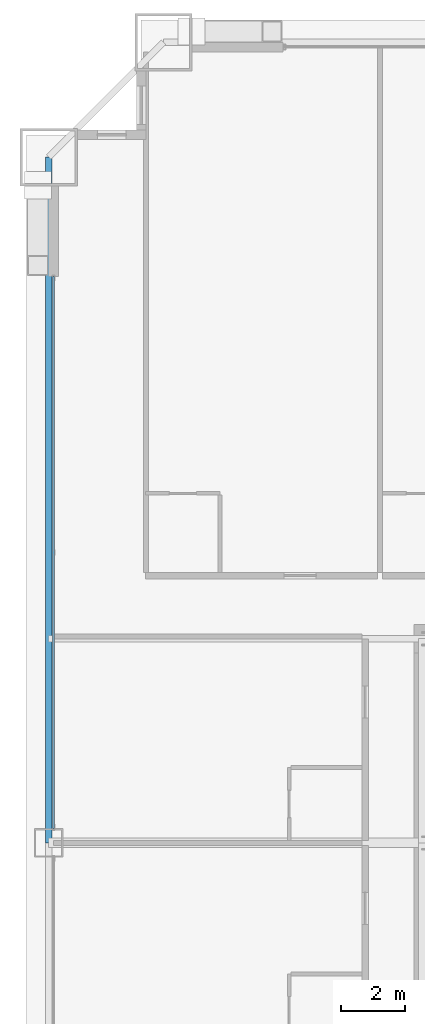
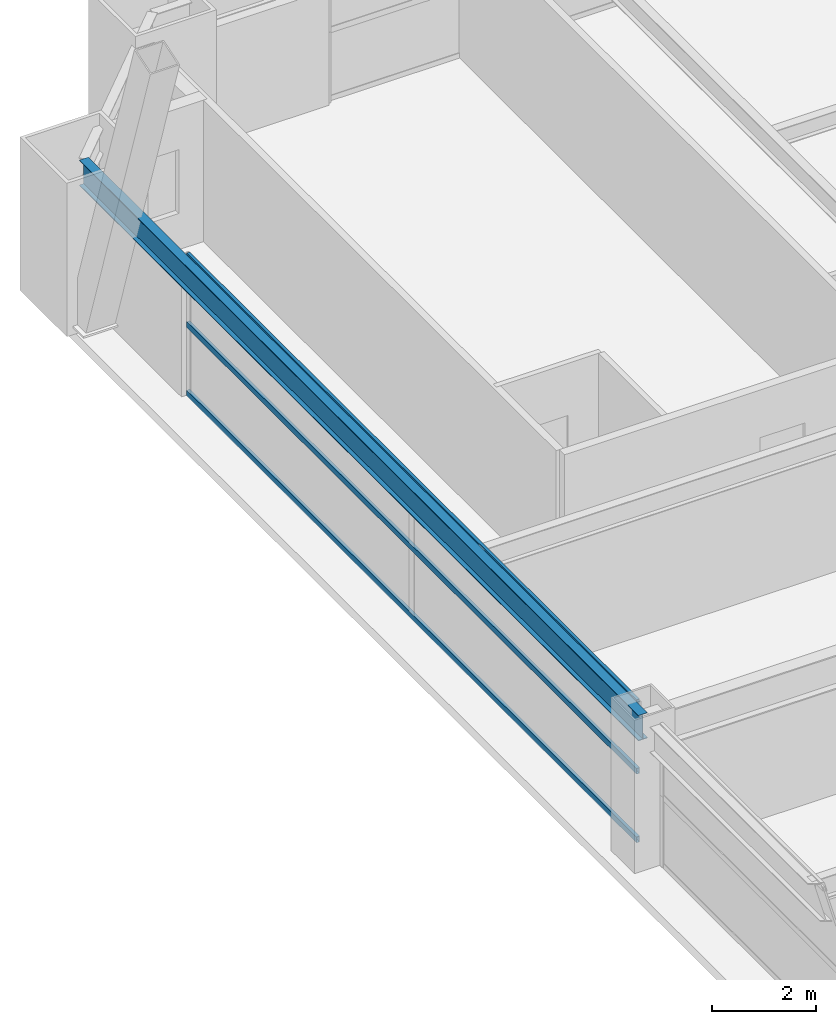
# One storey, part 23 of 43: 3 members, 1 beam, 1 element without a shape of its own.
"""IFC4 building model written with IfcOpenShell, lengths in metres."""

from ifc_helpers import new_model, si_unit, direction, frame, origin, origin_2d, place, context, subcontext, project, spatial, hollow_rectangle, i_section, extrude, source, transform, mapped, material, layer, layer_set, material_profile, profile_set, type_object, element, aggregate, save


model = new_model("IFC4")

# Units and contexts
model_context = context("Model", 3, precision=1e-05, world=origin(), true_north=direction((0.0, 1.0)))
body_context = subcontext(model_context, "Body", "Model", "MODEL_VIEW")
ifc_project = project(units=[si_unit("LENGTHUNIT", "METRE"), si_unit("AREAUNIT", "SQUARE_METRE"), si_unit("VOLUMEUNIT", "CUBIC_METRE"), si_unit("PLANEANGLEUNIT", "RADIAN"), si_unit("MASSUNIT", "GRAM", prefix="KILO"), si_unit("THERMODYNAMICTEMPERATUREUNIT", "KELVIN"), si_unit("POWERUNIT", "WATT")], contexts=[model_context])

# Site, building, storey
site_placement = place(None, origin())
site = spatial("IfcSite", under=ifc_project, at=site_placement, CompositionType="ELEMENT")
building_placement = place(site_placement, origin())
building = spatial("IfcBuilding", under=site, at=building_placement, Name="Yuzanri Waterfront Tower", CompositionType="ELEMENT")
storey_placement = place(building_placement, frame((0.0, 0.0, 37.800048828125)))
storey = spatial("IfcBuildingStorey", under=building, at=storey_placement, Name="L09", CompositionType="ELEMENT", Elevation=37.800048828125)

# Beam
ifc_material_1 = material(Name="Steel Q355B", Category="steel")
ifc_material_profile_1 = material_profile(ifc_material_1, i_section(OverallWidth=0.199951171875, OverallDepth=0.60009765625, WebThickness=0.010986328125, FlangeThickness=0.01708984375, at=origin_2d()), Name="HN 600x200x11x17")
ifc_profile_set_1 = profile_set([ifc_material_profile_1], Name="Steel Q355B")
beam_type = type_object("IfcBeamType", Name="Perimeter Spandrel Q355B HN 600x200", PredefinedType="SPANDREL", material=ifc_profile_set_1)
shared_shape_1 = source(origin(), body_context, "Body", "SweptSolid", [
    extrude(i_section(OverallWidth=0.199951171875, OverallDepth=0.60009765625, WebThickness=0.010986328125, FlangeThickness=0.01708984375, at=origin_2d()), origin(), (0.0, 0.0, 1.0), 21.5),
])
beam_placement = place(storey_placement, frame((11.89990234375, 47.300048828125, 3.02001953125), z_axis=(0.0, -1.0, 0.0), x_axis=(1.0, 0.0, 0.0)))
element("IfcBeam", 1, at=beam_placement, inside=storey, type_object=beam_type, Name="L09 Perimeter Spandrel W3-W2", PredefinedType="SPANDREL", context=body_context, shape_type="MappedRepresentation", body=[
    mapped(shared_shape_1, transform((0.0, 0.0, 0.0), scale=1.0)),
])

# Curtain wall, members
ifc_material_2 = material(Name="Anodized Architectural Bronze", Category="metal")
ifc_layer = layer(ifc_material_2, 0.159912109375)
ifc_layer_set = layer_set([ifc_layer], Name="Anodized Architectural Bronze")
curtain_wall_type = type_object("IfcCurtainWallType", Name="Anodized Bronze Hotel Lower-Tier Recessed Unitized Curtain Wall 8100", PredefinedType="NOTDEFINED", material=ifc_layer_set)
curtain_wall_placement = place(storey_placement, origin())
curtain_wall = element("IfcCurtainWall", 2, at=curtain_wall_placement, inside=storey, type_object=curtain_wall_type, Name="L09 Curtain Wall CW-L09-WR", PredefinedType="NOTDEFINED")
ifc_material_3 = material(Name="Anodized Architectural Bronze", Category="metal")
ifc_material_profile_2 = material_profile(ifc_material_3, hollow_rectangle(XDim=0.070068359375, YDim=0.135009765625, WallThickness=0.00341796875, at=origin_2d()), Name="CWT 70x135")
ifc_profile_set_2 = profile_set([ifc_material_profile_2], Name="Anodized Architectural Bronze")
member_type = type_object("IfcMemberType", Name="Anodized Bronze Standard Curtain-Wall Transom 70x135", PredefinedType="USERDEFINED", material=ifc_profile_set_2)
shared_shape_2 = source(origin(), body_context, "Body", "SweptSolid", [
    extrude(hollow_rectangle(XDim=0.070068359375, YDim=0.135009765625, WallThickness=0.00341796875, at=origin_2d()), origin(), (0.0, 0.0, 1.0), 17.300048828125),
])
member_1_placement = place(storey_placement, frame((12.050048828125, 26.25, 0.050048828125), z_axis=(0.0, 1.0, 0.0), x_axis=(-1.0, 0.0, 0.0)))
member_1 = element("IfcMember", 3, at=member_1_placement, type_object=member_type, Name="CW-L09-WR Transom 1", ObjectType="TRANSOM", PredefinedType="USERDEFINED", context=body_context, shape_type="MappedRepresentation", body=[
    mapped(shared_shape_2, transform((0.0, 0.0, 0.0), scale=1.0)),
])
member_2_placement = place(storey_placement, frame((12.050048828125, 26.25, 1.659912109375), z_axis=(0.0, 1.0, 0.0), x_axis=(-1.0, 0.0, 0.0)))
member_2 = element("IfcMember", 4, at=member_2_placement, type_object=member_type, Name="CW-L09-WR Transom 2", ObjectType="TRANSOM", PredefinedType="USERDEFINED", context=body_context, shape_type="MappedRepresentation", body=[
    mapped(shared_shape_2, transform((0.0, 0.0, 0.0), scale=1.0)),
])
member_3_placement = place(storey_placement, frame((12.050048828125, 26.25, 3.27001953125), z_axis=(0.0, 1.0, 0.0), x_axis=(-1.0, 0.0, 0.0)))
member_3 = element("IfcMember", 5, at=member_3_placement, type_object=member_type, Name="CW-L09-WR Transom 3", ObjectType="TRANSOM", PredefinedType="USERDEFINED", context=body_context, shape_type="MappedRepresentation", body=[
    mapped(shared_shape_2, transform((0.0, 0.0, 0.0), scale=1.0)),
])
aggregate(curtain_wall, [member_1, member_2, member_3])

save(model, "model.ifc")
